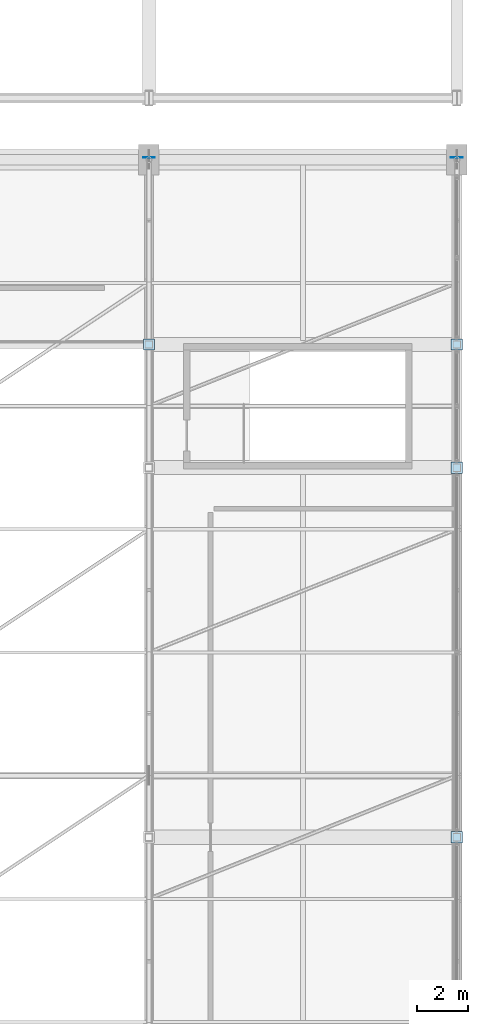
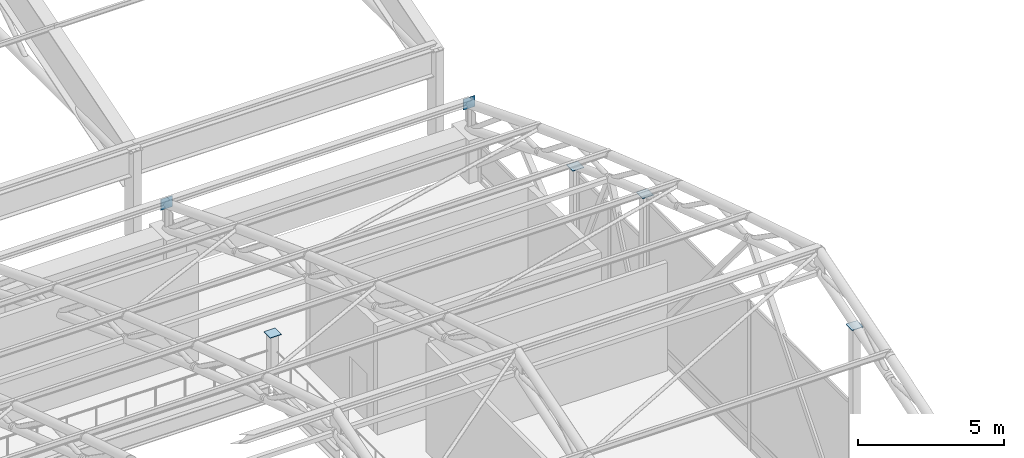
# One storey, part 81 of 116: 6 plates.
"""IFC4 building model written with IfcOpenShell, lengths in metres."""

import ifcopenshell
import ifcopenshell.guid

model = None  # the IFC model being written
_history = None  # IfcOwnerHistory: only IFC2X3 demands one
_inside = {}  # id of a spatial element -> (the spatial element, [elements in it])
_under = {}  # id of a project, library or spatial element -> (it, [spatial elements below it])
_declared = {}  # id of a project -> (the project, [libraries it declares])
_typed = {}  # id of a type object -> (the type object, [elements of that type])
_made_of = {}  # id of a material, layer set ... -> (it, [elements and type objects made of it])


def new_model(schema):
    """Start an empty IFC model of exactly this schema.

    Asked for "IFC4X3", IfcOpenShell would pick the latest addendum, in which some entities
    have other attributes; the version numbers below select the first issue.
    IFC2X3 requires an IfcOwnerHistory on every rooted entity: one is made here for all.
    """
    global model, _history
    if schema == "IFC4X3":
        model = ifcopenshell.file(schema_version=(4, 3, 0, 0))
    else:
        model = ifcopenshell.file(schema=schema)
    _inside.clear()
    _under.clear()
    _declared.clear()
    _typed.clear()
    _made_of.clear()
    _history = None
    if model.schema == "IFC2X3":
        org = make("IfcOrganization", Name="unknown")
        user = make(
            "IfcPersonAndOrganization",
            ThePerson=make("IfcPerson", FamilyName="unknown"),
            TheOrganization=org,
        )
        app = make(
            "IfcApplication",
            ApplicationDeveloper=org,
            Version="unknown",
            ApplicationFullName="unknown",
            ApplicationIdentifier="unknown",
        )
        _history = make(
            "IfcOwnerHistory",
            OwningUser=user,
            OwningApplication=app,
            ChangeAction="ADDED",
            CreationDate=0,
        )
    return model


def make(cls, **values):
    """One entity of the class cls with the attributes given. An attribute that is None is left unset."""
    return model.create_entity(
        cls, **{name: value for name, value in values.items() if value is not None}
    )


def rooted(cls, **values):
    """An entity with a GlobalId (a new one), such as an element, a storey or a relation."""
    return make(cls, GlobalId=ifcopenshell.guid.new(), OwnerHistory=_history, **values)


def si_unit(unit_type, name, prefix=None):
    """IfcSIUnit, for example si_unit("LENGTHUNIT", "METRE", prefix="MILLI")."""
    return make("IfcSIUnit", UnitType=unit_type, Prefix=prefix, Name=name)


def assignment(units):
    """IfcUnitAssignment: the units of a project."""
    return None if units is None else make("IfcUnitAssignment", Units=units)


def point(xyz):
    """IfcCartesianPoint."""
    return None if xyz is None else make("IfcCartesianPoint", Coordinates=xyz)


def direction(xyz):
    """IfcDirection."""
    return None if xyz is None else make("IfcDirection", DirectionRatios=xyz)


def frame(location, z_axis=None, x_axis=None):
    """IfcAxis2Placement3D, a coordinate frame: its origin and axes. An axis left out is left unset."""
    return make(
        "IfcAxis2Placement3D",
        Location=point(location),
        Axis=direction(z_axis),
        RefDirection=direction(x_axis),
    )


def frame_2d(location, x_axis=None):
    """IfcAxis2Placement2D, a coordinate frame in the plane: its origin and x axis."""
    return make(
        "IfcAxis2Placement2D", Location=point(location), RefDirection=direction(x_axis)
    )


def origin():
    """The frame at (0, 0, 0) with its axes left unset."""
    return frame((0.0, 0.0, 0.0))


def origin_2d():
    """The frame at (0, 0) in the plane with its x axis left unset."""
    return frame_2d((0.0, 0.0))


def place(relative_to, where):
    """IfcLocalPlacement: puts the frame where relative to a parent placement (None: the world)."""
    return make(
        "IfcLocalPlacement", PlacementRelTo=relative_to, RelativePlacement=where
    )


def context(
    kind, dimensions, precision=None, world=None, true_north=None, identifier=None
):
    """IfcGeometricRepresentationContext, for example the 3D "Model" context."""
    return make(
        "IfcGeometricRepresentationContext",
        ContextIdentifier=identifier,
        ContextType=kind,
        CoordinateSpaceDimension=dimensions,
        Precision=precision,
        WorldCoordinateSystem=world,
        TrueNorth=true_north,
    )


def subcontext(parent, identifier, kind, view, scale=None):
    """IfcGeometricRepresentationSubContext, for example "Body" below "Model"."""
    return make(
        "IfcGeometricRepresentationSubContext",
        ContextIdentifier=identifier,
        ContextType=kind,
        ParentContext=parent,
        TargetScale=scale,
        TargetView=view,
    )


def project(units=None, contexts=None):
    """IfcProject with its units and contexts."""
    return rooted(
        "IfcProject",
        Name="project",
        RepresentationContexts=contexts,
        UnitsInContext=assignment(units),
    )


def spatial(cls, under=None, at=None, **own):
    """A site, building, storey or space (cls), placed at a placement, below another one or the project."""
    s = rooted(cls, ObjectPlacement=at, **own)
    if under is not None:
        _under.setdefault(under.id(), (under, []))[1].append(s)
    return s


def profile(cls, at=None, kind="AREA", **sizes):
    """A parametric profile (cls). Its sizes go by their IFC names, for example OverallWidth=200.0."""
    return make(cls, ProfileType=kind, Position=at, **sizes)


def rectangle(**sizes):
    """IfcRectangleProfileDef."""
    return profile("IfcRectangleProfileDef", **sizes)


def extrude(swept, where, along, depth):
    """IfcExtrudedAreaSolid: the profile swept, set in the frame where, extruded along a direction by depth."""
    return make(
        "IfcExtrudedAreaSolid",
        SweptArea=swept,
        Position=where,
        ExtrudedDirection=direction(along),
        Depth=depth,
    )


def shape(context_of_items, identifier, shape_type, items):
    """IfcShapeRepresentation: the items that make up one representation, for example the "Body"."""
    return make(
        "IfcShapeRepresentation",
        ContextOfItems=context_of_items,
        RepresentationIdentifier=identifier,
        RepresentationType=shape_type,
        Items=items,
    )


def material(Name=None, Category=None):
    """IfcMaterial."""
    return make("IfcMaterial", Name=Name, Category=Category)


def layer(
    of_material, thickness, ventilated=None, Name=None, Category=None, Priority=None
):
    """IfcMaterialLayer: one layer of a wall or slab, of a material (None: an air gap)."""
    return make(
        "IfcMaterialLayer",
        Material=of_material,
        LayerThickness=thickness,
        IsVentilated=ventilated,
        Name=Name,
        Category=Category,
        Priority=Priority,
    )


def layer_set(layers, Name=None):
    """IfcMaterialLayerSet."""
    return make("IfcMaterialLayerSet", MaterialLayers=layers, LayerSetName=Name)


def made_of(thing, what):
    """Note that an element or type object is made of a material, layer set ...; save() writes the relation."""
    if what is not None:
        _made_of.setdefault(what.id(), (what, []))[1].append(thing)
    return thing


def type_object(cls, material=None, **own):
    """A type object (cls), such as IfcWallType, which elements share."""
    return made_of(rooted(cls, **own), material)


def element(
    cls,
    number,
    at=None,
    inside=None,
    cuts=None,
    type_object=None,
    material=None,
    context=None,
    identifier="Body",
    shape_type=None,
    held_by="IfcProductDefinitionShape",
    body=None,
    shapes=None,
    **own,
):
    """One element of the class cls, such as IfcWall. Its Tag is "e" and its number.

    at: its placement. inside: the storey or other place that contains it. cuts: it is an
    opening in that element (IfcRelVoidsElement). A single representation is given by context,
    identifier, shape_type and body (its items); several are given by shapes. held_by: the class
    of the entity that holds the representations. save() writes the other relations.
    """
    e = rooted(cls, Tag="e%d" % number, ObjectPlacement=at, **own)
    if body is not None:
        shapes = [shape(context, identifier, shape_type, body)]
    if shapes is not None:
        e.Representation = make(held_by, Representations=shapes)
    if inside is not None:
        _inside.setdefault(inside.id(), (inside, []))[1].append(e)
    if cuts is not None:
        rooted(
            "IfcRelVoidsElement", RelatingBuildingElement=cuts, RelatedOpeningElement=e
        )
    if type_object is not None:
        _typed.setdefault(type_object.id(), (type_object, []))[1].append(e)
    return made_of(e, material)


def aggregate(whole, parts):
    """IfcRelAggregates: a whole, such as a stair, and the parts it consists of."""
    return rooted("IfcRelAggregates", RelatingObject=whole, RelatedObjects=parts)


def save(model, path):
    """Write the relations noted so far, then the file.

    IfcRelAggregates (storeys below a building ...), IfcRelContainedInSpatialStructure (elements
    in a storey), IfcRelDefinesByType, IfcRelAssociatesMaterial and IfcRelDeclares: one each for
    every whole, place, type object, material and project.
    """
    for whole, parts in _under.values():
        aggregate(whole, parts)
    for where, things in _inside.values():
        rooted(
            "IfcRelContainedInSpatialStructure",
            RelatedElements=things,
            RelatingStructure=where,
        )
    for kind, things in _typed.values():
        rooted("IfcRelDefinesByType", RelatedObjects=things, RelatingType=kind)
    for what, things in _made_of.values():
        rooted("IfcRelAssociatesMaterial", RelatedObjects=things, RelatingMaterial=what)
    for by, libraries in _declared.values():
        rooted("IfcRelDeclares", RelatingContext=by, RelatedDefinitions=libraries)
    model.write(path)


model = new_model("IFC4")

# Units and contexts
model_context = context("Model", 3, precision=1e-05, world=origin(), true_north=direction((0.0, 1.0)))
body_context = subcontext(model_context, "Body", "Model", "MODEL_VIEW")
ifc_project = project(units=[si_unit("LENGTHUNIT", "METRE"), si_unit("AREAUNIT", "SQUARE_METRE"), si_unit("VOLUMEUNIT", "CUBIC_METRE"), si_unit("PLANEANGLEUNIT", "RADIAN"), si_unit("MASSUNIT", "GRAM", prefix="KILO")], contexts=[model_context])

# Site, building, storey
site_placement = place(None, origin())
site = spatial("IfcSite", under=ifc_project, at=site_placement, CompositionType="ELEMENT")
building_placement = place(site_placement, origin())
building = spatial("IfcBuilding", under=site, at=building_placement, Name="Cendralis Lancet Convention Centre", CompositionType="ELEMENT")
storey_placement = place(building_placement, frame((0.0, 0.0, 15.0)))
storey = spatial("IfcBuildingStorey", under=building, at=storey_placement, Name="L03", CompositionType="ELEMENT", Elevation=15.0)

# Plates
ifc_material = material(Name="Steel S355", Category="steel")
ifc_layer_1 = layer(ifc_material, 0.02001953125, Name="Steel S355")
ifc_layer_set_1 = layer_set([ifc_layer_1], Name="Steel S355")
plate_type_1 = type_object("IfcPlateType", Name="STR-PL-CC20", PredefinedType="USERDEFINED", material=ifc_layer_set_1)
for number, where, z_axis, x_axis, name in (
    (1, (208.800048828125, 64.800048828125, 9.55908203125), (0.0, 0.0, 1.0), (1.0, 0.0, 0.0), "Hollow Column Top Cap Plate L03 #024"),
    (2, (208.800048828125, 79.199951171875, 6.35498046875), (0.0, 0.0, 1.0), (1.0, 0.0, 0.0), "Hollow Column Top Cap Plate L03 #025"),
    (3, (208.800048828125, 84.0, 4.596923828125), (0.0, 0.0, 1.0), (1.0, 0.0, 0.0), "Hollow Column Top Cap Plate L03 #026"),
):
    element("IfcPlate", number, at=place(storey_placement, frame(where, z_axis=z_axis, x_axis=x_axis)), inside=storey, type_object=plate_type_1, Name=name, ObjectType="GUSSET PLATE", PredefinedType="USERDEFINED", context=body_context, shape_type="SweptSolid", body=[
        extrude(rectangle(XDim=0.43994140625, YDim=0.43994140625, at=origin_2d()), origin(), (0.0, 0.0, 1.0), 0.02001953125),
    ])
ifc_layer_2 = layer(ifc_material, 0.02001953125, Name="Steel S355")
ifc_layer_set_2 = layer_set([ifc_layer_2], Name="Steel S355")
plate_type_2 = type_object("IfcPlateType", Name="STR-PL-CC20-INT", PredefinedType="USERDEFINED", material=ifc_layer_set_2)
plate_placement = place(storey_placement, frame((196.800048828125, 84.0, 1.800048828125), z_axis=(0.0, 0.0, 1.0), x_axis=(1.0, 0.0, 0.0)))
element("IfcPlate", 4, at=plate_placement, inside=storey, type_object=plate_type_2, Name="Hollow Column Top Cap Plate L03 #022", ObjectType="GUSSET PLATE", PredefinedType="USERDEFINED", context=body_context, shape_type="SweptSolid", body=[
    extrude(rectangle(XDim=0.43994140625, YDim=0.43994140625, at=origin_2d()), origin(), (0.0, 0.0, 1.0), 0.02001953125),
])
ifc_layer_3 = layer(ifc_material, 0.02001953125, Name="Steel S355")
ifc_layer_set_3 = layer_set([ifc_layer_3], Name="Steel S355")
plate_type_3 = type_object("IfcPlateType", Name="STR-PL-EC20", PredefinedType="USERDEFINED", material=ifc_layer_set_3)
for number, where, z_axis, x_axis, name in (
    (5, (196.800048828125, 91.2900390625, 2.6201171875), (0.0, 0.0, 1.0), (1.0, 0.0, 0.0), "Truss End Cap Plate EC-20 AT-V2-09-CAPN"),
    (6, (208.800048828125, 91.2900390625, 2.6201171875), (0.0, 0.0, 1.0), (1.0, 0.0, 0.0), "Truss End Cap Plate EC-20 AT-V2-10-CAPN"),
):
    element("IfcPlate", number, at=place(storey_placement, frame(where, z_axis=z_axis, x_axis=x_axis)), inside=storey, type_object=plate_type_3, Name=name, ObjectType="GUSSET PLATE", PredefinedType="USERDEFINED", context=body_context, shape_type="SweptSolid", body=[
        extrude(rectangle(XDim=0.4599609375, YDim=0.02001953125, at=origin_2d()), origin(), (0.0, 0.0, 1.0), 0.4599609375),
    ])

save(model, "model.ifc")
